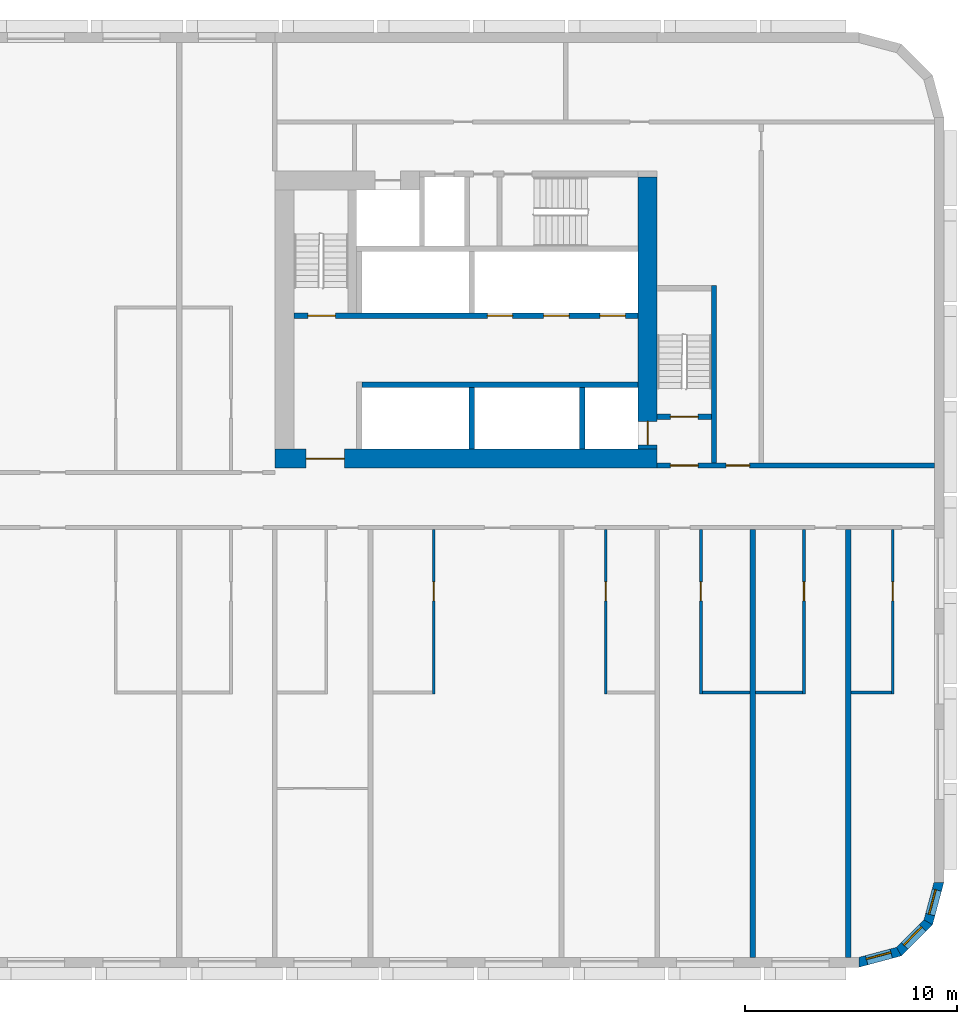
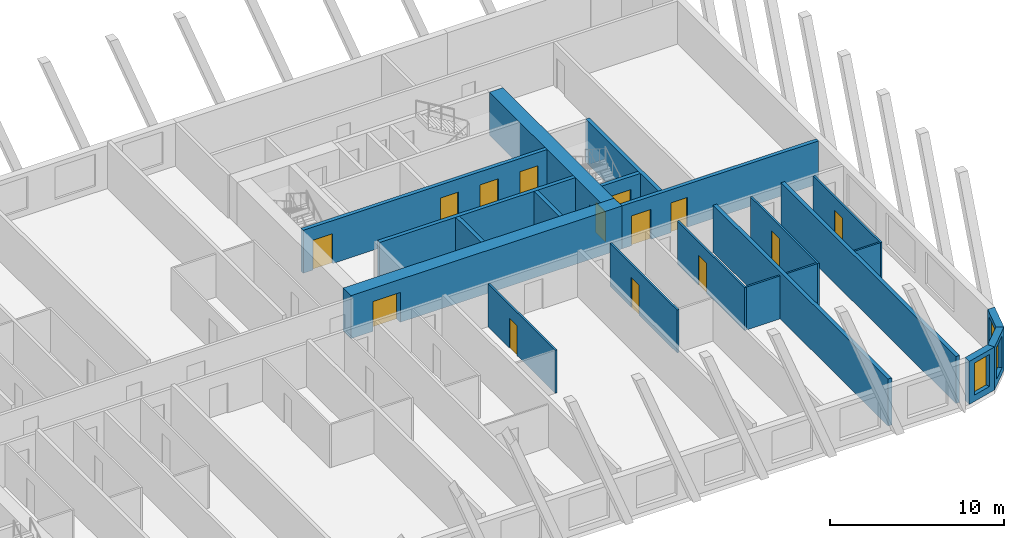
# One storey, part 7 of 13: 22 walls, 14 doors, 3 windows, 17 openings.
"""IFC4 building model written with IfcOpenShell, lengths in metres."""

from ifc_helpers import new_model, si_unit, direction, frame, frame_2d, origin, place, context, subcontext, project, spatial, polyline, rectangle, outline, extrude, material, layer, layer_set, type_object, element, fill, save


model = new_model("IFC4")

# Units and contexts
model_context = context("Model", 3, precision=1e-05, world=origin(), true_north=direction((0.0, 1.0)))
body_context = subcontext(model_context, "Body", "Model", "MODEL_VIEW")
ifc_project = project(units=[si_unit("LENGTHUNIT", "METRE"), si_unit("AREAUNIT", "SQUARE_METRE"), si_unit("VOLUMEUNIT", "CUBIC_METRE"), si_unit("PLANEANGLEUNIT", "RADIAN"), si_unit("MASSUNIT", "GRAM", prefix="KILO")], contexts=[model_context])

# Site, building, storey
site_placement = place(None, origin())
site = spatial("IfcSite", under=ifc_project, at=site_placement, CompositionType="ELEMENT")
building_placement = place(site_placement, origin())
building = spatial("IfcBuilding", under=site, at=building_placement, Name="Kajstack Hotel Tower", CompositionType="ELEMENT")
storey_placement = place(building_placement, frame((0.0, 0.0, 79.800048828125)))
storey = spatial("IfcBuildingStorey", under=building, at=storey_placement, Name="L15", CompositionType="ELEMENT", Elevation=79.800048828125)

# Wall, opening, door
ifc_material_1 = material(Name="Concrete C60/75", Category="concrete")
ifc_layer_1 = layer(ifc_material_1, 0.89990234375)
ifc_layer_set_1 = layer_set([ifc_layer_1], Name="Core wall 900")
wall_type_1 = type_object("IfcWallType", Name="Core wall 900", PredefinedType="SHEAR", material=ifc_layer_set_1)
wall_1_placement = place(storey_placement, frame((13.5, 1.949951171875, 0.0), z_axis=(0.0, 0.0, 1.0), x_axis=(1.0, 0.0, 0.0)))
wall_1 = element("IfcWall", 1, at=wall_1_placement, inside=storey, type_object=wall_type_1, Name="Core wall E RN", PredefinedType="SHEAR", context=body_context, shape_type="SweptSolid", body=[
    extrude(rectangle(XDim=18.0, YDim=0.89990234375, at=frame_2d((9.0, 0.0))), origin(), (0.0, 0.0, 1.0), 3.02001953125),
])
opening_1_placement = place(wall_1_placement, frame((1.47509765625, 0.0, 0.0)))
opening_1 = element("IfcOpeningElement", 2, at=opening_1_placement, cuts=wall_1, Name="Opening 15E06", PredefinedType="OPENING", context=body_context, shape_type="SweptSolid", body=[
    extrude(rectangle(XDim=1.800048828125, YDim=2.10009765625, at=frame_2d((0.89990234375, 1.050048828125))), frame((0.0, 0.4599609375, 0.0), z_axis=(0.0, -1.0, 0.0), x_axis=(1.0, 0.0, 0.0)), (0.0, 0.0, 1.0), 0.919921875),
])
ifc_material_2 = material(Name="Glazed steel frame, fire-rated glass", Category="steel")
door_type_1 = type_object("IfcDoorType", Name="Lobby double door 1800", OperationType="DOUBLE_DOOR_DOUBLE_SWING", PredefinedType="DOOR", material=ifc_material_2)
door_1_placement = place(opening_1_placement, origin())
door_1 = element("IfcDoor", 3, at=door_1_placement, inside=storey, type_object=door_type_1, Name="Door 15E06", OperationType="DOUBLE_DOOR_DOUBLE_SWING", OverallHeight=2.10009765625, OverallWidth=1.800048828125, PredefinedType="DOOR", context=body_context, shape_type="SweptSolid", body=[
    extrude(rectangle(XDim=1.800048828125, YDim=2.10009765625, at=frame_2d((0.89990234375, 1.050048828125))), frame((0.0, 0.02490234375, 0.0), z_axis=(0.0, -1.0, 0.0), x_axis=(1.0, 0.0, 0.0)), (0.0, 0.0, 1.0), 0.050048828125),
])
fill(opening_1, door_1)

wall_2_placement = place(storey_placement, frame((31.050048828125, 2.39990234375, 0.0), z_axis=(0.0, 0.0, 1.0), x_axis=(0.0, 1.0, 0.0)))
wall_2 = element("IfcWall", 4, at=wall_2_placement, inside=storey, type_object=wall_type_1, Name="Core wall E RW", PredefinedType="SHEAR", context=body_context, shape_type="SweptSolid", body=[
    extrude(rectangle(XDim=12.800048828125, YDim=0.89990234375, at=frame_2d((6.39990234375, 0.0))), origin(), (0.0, 0.0, 1.0), 3.02001953125),
])
opening_2_placement = place(wall_2_placement, frame((0.199951171875, 0.0, 0.0)))
opening_2 = element("IfcOpeningElement", 5, at=opening_2_placement, cuts=wall_2, Name="Opening LD-FF2", PredefinedType="OPENING", context=body_context, shape_type="SweptSolid", body=[
    extrude(rectangle(XDim=1.10009765625, YDim=2.10009765625, at=frame_2d((0.550048828125, 1.050048828125))), frame((0.0, 0.4599609375, 0.0), z_axis=(0.0, -1.0, 0.0), x_axis=(1.0, 0.0, 0.0)), (0.0, 0.0, 1.0), 0.919921875),
])
ifc_material_3 = material(Name="Stainless steel", Category="steel")
door_type_2 = type_object("IfcDoorType", Name="Fire-fighting lift landing door 1100", OperationType="SLIDING_TO_LEFT", PredefinedType="DOOR", material=ifc_material_3)
door_2_placement = place(opening_2_placement, origin())
door_2 = element("IfcDoor", 6, at=door_2_placement, inside=storey, type_object=door_type_2, Name="Landing door FF2", OperationType="SLIDING_TO_LEFT", OverallHeight=2.10009765625, OverallWidth=1.10009765625, PredefinedType="DOOR", context=body_context, shape_type="SweptSolid", body=[
    extrude(rectangle(XDim=1.10009765625, YDim=2.10009765625, at=frame_2d((0.550048828125, 1.050048828125))), frame((0.0, 0.02490234375, 0.0), z_axis=(0.0, -1.0, 0.0), x_axis=(1.0, 0.0, 0.0)), (0.0, 0.0, 1.0), 0.050048828125),
])
fill(opening_2, door_2)

# Wall, opening, window
ifc_material_4 = material(Name="Terracotta-faced brick masonry", Category="masonry")
ifc_layer_2 = layer(ifc_material_4, 0.449951171875)
ifc_layer_set_2 = layer_set([ifc_layer_2], Name="EW-TERRA")
wall_type_2 = type_object("IfcWallType", Name="EW-TERRA", PredefinedType="SOLIDWALL", material=ifc_layer_set_2)
wall_3_placement = place(storey_placement, frame((40.941650390625, -21.78271484375, 0.0), z_axis=(0.0, 0.0, 1.0), x_axis=(0.965926999034, 0.25881466832, 0.0)))
wall_3 = element("IfcWall", 7, at=wall_3_placement, inside=storey, type_object=wall_type_2, Name="E-wall-L15-04-00", PredefinedType="SOLIDWALL", context=body_context, shape_type="SweptSolid", body=[
    extrude(outline(polyline([(0.000244140625, -0.22509765625), (2.070556640625, -0.224853515625), (1.9501953125, 0.22509765625), (0.12060546875, 0.22509765625), (0.000244140625, -0.22509765625)])), origin(), (0.0, 0.0, 1.0), 3.02001953125),
])
opening_3_placement = place(wall_3_placement, frame((0.435302734375, 0.0, 0.449951171875)))
opening_3 = element("IfcOpeningElement", 8, at=opening_3_placement, cuts=wall_3, Name="Opening W3", PredefinedType="OPENING", context=body_context, shape_type="SweptSolid", body=[
    extrude(rectangle(XDim=1.199951171875, YDim=2.25, at=frame_2d((0.60009765625, 1.125))), frame((0.0, 0.23486328125, 0.0), z_axis=(0.0, -1.0, 0.0), x_axis=(1.0, 0.0, 0.0)), (0.0, 0.0, 1.0), 0.469970703125),
])
ifc_material_5 = material(Name="Timber-aluminium window, triple glazed", Category="wood")
window_type = type_object("IfcWindowType", Name="WG3", PartitioningType="SINGLE_PANEL", PredefinedType="WINDOW", material=ifc_material_5)
window_1_placement = place(opening_3_placement, origin())
window_1 = element("IfcWindow", 9, at=window_1_placement, inside=storey, type_object=window_type, Name="Window W3 L15-04", OverallHeight=2.25, OverallWidth=1.199951171875, PartitioningType="SINGLE_PANEL", PredefinedType="WINDOW", context=body_context, shape_type="SweptSolid", body=[
    extrude(rectangle(XDim=1.199951171875, YDim=2.25, at=frame_2d((0.60009765625, 1.125))), frame((0.0, 0.090087890625, 0.0), z_axis=(0.0, -1.0, 0.0), x_axis=(1.0, 0.0, 0.0)), (0.0, 0.0, 1.0), 0.06005859375),
])
fill(opening_3, window_1)

wall_4_placement = place(storey_placement, frame((42.8408203125, -21.304931640625, 0.0), z_axis=(0.0, 0.0, 1.0), x_axis=(0.707106781187, 0.707106781187, 0.0)))
wall_4 = element("IfcWall", 10, at=wall_4_placement, inside=storey, type_object=wall_type_2, Name="E-wall-L15-05-00", PredefinedType="SOLIDWALL", context=body_context, shape_type="SweptSolid", body=[
    extrude(outline(polyline([(0.0, -0.22509765625), (2.070556640625, -0.22509765625), (1.949951171875, 0.224853515625), (0.12060546875, 0.224853515625), (0.0, -0.22509765625)])), origin(), (0.0, 0.0, 1.0), 3.02001953125),
])
opening_4_placement = place(wall_4_placement, frame((0.435302734375, 0.0, 0.449951171875)))
opening_4 = element("IfcOpeningElement", 11, at=opening_4_placement, cuts=wall_4, Name="Opening W3", PredefinedType="OPENING", context=body_context, shape_type="SweptSolid", body=[
    extrude(rectangle(XDim=1.199951171875, YDim=2.25, at=frame_2d((0.60009765625, 1.125))), frame((0.0, 0.23486328125, 0.0), z_axis=(0.0, -1.0, 0.0), x_axis=(1.0, 0.0, 0.0)), (0.0, 0.0, 1.0), 0.469970703125),
])
window_2_placement = place(opening_4_placement, origin())
window_2 = element("IfcWindow", 12, at=window_2_placement, inside=storey, type_object=window_type, Name="Window W3 L15-05", OverallHeight=2.25, OverallWidth=1.199951171875, PartitioningType="SINGLE_PANEL", PredefinedType="WINDOW", context=body_context, shape_type="SweptSolid", body=[
    extrude(rectangle(XDim=1.199951171875, YDim=2.25, at=frame_2d((0.60009765625, 1.125))), frame((0.0, 0.090087890625, 0.0), z_axis=(0.0, -1.0, 0.0), x_axis=(1.0, 0.0, 0.0)), (0.0, 0.0, 1.0), 0.06005859375),
])
fill(opening_4, window_2)

wall_5_placement = place(storey_placement, frame((44.246826171875, -19.941650390625, 0.0), z_axis=(0.0, 0.0, 1.0), x_axis=(0.25881466832, 0.965926999034, 0.0)))
wall_5 = element("IfcWall", 13, at=wall_5_placement, inside=storey, type_object=wall_type_2, Name="E-wall-L15-06-00", PredefinedType="SOLIDWALL", context=body_context, shape_type="SweptSolid", body=[
    extrude(outline(polyline([(-0.000244140625, -0.224853515625), (2.0703125, -0.22509765625), (1.949951171875, 0.22509765625), (0.120361328125, 0.22509765625), (-0.000244140625, -0.224853515625)])), origin(), (0.0, 0.0, 1.0), 3.02001953125),
])
opening_5_placement = place(wall_5_placement, frame((0.435302734375, 0.0, 0.449951171875)))
opening_5 = element("IfcOpeningElement", 14, at=opening_5_placement, cuts=wall_5, Name="Opening W3", PredefinedType="OPENING", context=body_context, shape_type="SweptSolid", body=[
    extrude(rectangle(XDim=1.199951171875, YDim=2.25, at=frame_2d((0.60009765625, 1.125))), frame((0.0, 0.23486328125, 0.0), z_axis=(0.0, -1.0, 0.0), x_axis=(1.0, 0.0, 0.0)), (0.0, 0.0, 1.0), 0.469970703125),
])
window_3_placement = place(opening_5_placement, origin())
window_3 = element("IfcWindow", 15, at=window_3_placement, inside=storey, type_object=window_type, Name="Window W3 L15-06", OverallHeight=2.25, OverallWidth=1.199951171875, PartitioningType="SINGLE_PANEL", PredefinedType="WINDOW", context=body_context, shape_type="SweptSolid", body=[
    extrude(rectangle(XDim=1.199951171875, YDim=2.25, at=frame_2d((0.60009765625, 1.125))), frame((0.0, 0.090087890625, 0.0), z_axis=(0.0, -1.0, 0.0), x_axis=(1.0, 0.0, 0.0)), (0.0, 0.0, 1.0), 0.06005859375),
])
fill(opening_5, window_3)

# Wall, opening, door
ifc_material_6 = material(Name="Gypsum board and tiled backer on steel studs", Category="steel")
ifc_layer_3 = layer(ifc_material_6, 0.125)
ifc_layer_set_3 = layer_set([ifc_layer_3], Name="En-suite wall 125")
wall_type_3 = type_object("IfcWallType", Name="En-suite wall 125", PredefinedType="PARTITIONING", material=ifc_layer_set_3)
wall_6_placement = place(storey_placement, frame((20.988037109375, -9.125, 0.0), z_axis=(0.0, 0.0, 1.0), x_axis=(0.0, 1.0, 0.0)))
wall_6 = element("IfcWall", 16, at=wall_6_placement, inside=storey, type_object=wall_type_3, Name="G-wall-L15-040", PredefinedType="PARTITIONING", context=body_context, shape_type="SweptSolid", body=[
    extrude(rectangle(XDim=7.72509765625, YDim=0.125, at=frame_2d((3.862548828125, 0.0))), origin(), (0.0, 0.0, 1.0), 3.02001953125),
])
opening_6_placement = place(wall_6_placement, frame((4.375, 0.0, 0.0)))
opening_6 = element("IfcOpeningElement", 17, at=opening_6_placement, cuts=wall_6, Name="Opening 15034", PredefinedType="OPENING", context=body_context, shape_type="SweptSolid", body=[
    extrude(rectangle(XDim=0.89990234375, YDim=2.10009765625, at=frame_2d((0.449951171875, 1.050048828125))), frame((0.0, 0.072509765625, 0.0), z_axis=(0.0, -1.0, 0.0), x_axis=(1.0, 0.0, 0.0)), (0.0, 0.0, 1.0), 0.14501953125),
])
ifc_material_7 = material(Name="Painted timber door leaf", Category="wood")
door_type_3 = type_object("IfcDoorType", Name="Room door 900", OperationType="SINGLE_SWING_LEFT", PredefinedType="DOOR", material=ifc_material_7)
door_3_placement = place(opening_6_placement, origin())
door_3 = element("IfcDoor", 18, at=door_3_placement, inside=storey, type_object=door_type_3, Name="G-door-L15-34", OperationType="SINGLE_SWING_RIGHT", OverallHeight=2.10009765625, OverallWidth=0.89990234375, PredefinedType="DOOR", context=body_context, shape_type="SweptSolid", body=[
    extrude(rectangle(XDim=0.89990234375, YDim=2.10009765625, at=frame_2d((0.449951171875, 1.050048828125))), frame((0.0, 0.02490234375, 0.0), z_axis=(0.0, -1.0, 0.0), x_axis=(1.0, 0.0, 0.0)), (0.0, 0.0, 1.0), 0.050048828125),
])
fill(opening_6, door_3)

wall_7_placement = place(storey_placement, frame((29.0869140625, -9.125, 0.0), z_axis=(0.0, 0.0, 1.0), x_axis=(0.0, 1.0, 0.0)))
wall_7 = element("IfcWall", 19, at=wall_7_placement, inside=storey, type_object=wall_type_3, Name="G-wall-L15-043", PredefinedType="PARTITIONING", context=body_context, shape_type="SweptSolid", body=[
    extrude(rectangle(XDim=7.72509765625, YDim=0.125, at=frame_2d((3.862548828125, 0.0))), origin(), (0.0, 0.0, 1.0), 3.02001953125),
])
opening_7_placement = place(wall_7_placement, frame((4.375, 0.0, 0.0)))
opening_7 = element("IfcOpeningElement", 20, at=opening_7_placement, cuts=wall_7, Name="Opening 15036", PredefinedType="OPENING", context=body_context, shape_type="SweptSolid", body=[
    extrude(rectangle(XDim=0.89990234375, YDim=2.10009765625, at=frame_2d((0.449951171875, 1.050048828125))), frame((0.0, 0.072509765625, 0.0), z_axis=(0.0, -1.0, 0.0), x_axis=(1.0, 0.0, 0.0)), (0.0, 0.0, 1.0), 0.14501953125),
])
door_4_placement = place(opening_7_placement, origin())
door_4 = element("IfcDoor", 21, at=door_4_placement, inside=storey, type_object=door_type_3, Name="G-door-L15-36", OperationType="SINGLE_SWING_LEFT", OverallHeight=2.10009765625, OverallWidth=0.89990234375, PredefinedType="DOOR", context=body_context, shape_type="SweptSolid", body=[
    extrude(rectangle(XDim=0.89990234375, YDim=2.10009765625, at=frame_2d((0.449951171875, 1.050048828125))), frame((0.0, 0.02490234375, 0.0), z_axis=(0.0, -1.0, 0.0), x_axis=(1.0, 0.0, 0.0)), (0.0, 0.0, 1.0), 0.050048828125),
])
fill(opening_7, door_4)

wall_8_placement = place(storey_placement, frame((33.56201171875, -9.125, 0.0), z_axis=(0.0, 0.0, 1.0), x_axis=(0.0, 1.0, 0.0)))
wall_8 = element("IfcWall", 22, at=wall_8_placement, inside=storey, type_object=wall_type_3, Name="G-wall-L15-045", PredefinedType="PARTITIONING", context=body_context, shape_type="SweptSolid", body=[
    extrude(rectangle(XDim=7.72509765625, YDim=0.125, at=frame_2d((3.862548828125, 0.0))), origin(), (0.0, 0.0, 1.0), 3.02001953125),
])
opening_8_placement = place(wall_8_placement, frame((4.375, 0.0, 0.0)))
opening_8 = element("IfcOpeningElement", 23, at=opening_8_placement, cuts=wall_8, Name="Opening 15038", PredefinedType="OPENING", context=body_context, shape_type="SweptSolid", body=[
    extrude(rectangle(XDim=0.89990234375, YDim=2.10009765625, at=frame_2d((0.449951171875, 1.050048828125))), frame((0.0, 0.072509765625, 0.0), z_axis=(0.0, -1.0, 0.0), x_axis=(1.0, 0.0, 0.0)), (0.0, 0.0, 1.0), 0.14501953125),
])
door_5_placement = place(opening_8_placement, origin())
door_5 = element("IfcDoor", 24, at=door_5_placement, inside=storey, type_object=door_type_3, Name="G-door-L15-38", OperationType="SINGLE_SWING_LEFT", OverallHeight=2.10009765625, OverallWidth=0.89990234375, PredefinedType="DOOR", context=body_context, shape_type="SweptSolid", body=[
    extrude(rectangle(XDim=0.89990234375, YDim=2.10009765625, at=frame_2d((0.449951171875, 1.050048828125))), frame((0.0, 0.02490234375, 0.0), z_axis=(0.0, -1.0, 0.0), x_axis=(1.0, 0.0, 0.0)), (0.0, 0.0, 1.0), 0.050048828125),
])
fill(opening_8, door_5)

# Wall
wall_9_placement = place(storey_placement, frame((33.625, -9.06201171875, 0.0), z_axis=(0.0, 0.0, 1.0), x_axis=(1.0, 0.0, 0.0)))
element("IfcWall", 25, at=wall_9_placement, inside=storey, type_object=wall_type_3, Name="G-wall-L15-046", PredefinedType="PARTITIONING", context=body_context, shape_type="SweptSolid", body=[
    extrude(rectangle(XDim=2.25, YDim=0.125, at=frame_2d((1.125, 0.0))), origin(), (0.0, 0.0, 1.0), 3.02001953125),
])

# Wall, opening, door
wall_10_placement = place(storey_placement, frame((38.4130859375, -9.125, 0.0), z_axis=(0.0, 0.0, 1.0), x_axis=(0.0, 1.0, 0.0)))
wall_10 = element("IfcWall", 26, at=wall_10_placement, inside=storey, type_object=wall_type_3, Name="G-wall-L15-047", PredefinedType="PARTITIONING", context=body_context, shape_type="SweptSolid", body=[
    extrude(rectangle(XDim=7.72509765625, YDim=0.125, at=frame_2d((3.862548828125, 0.0))), origin(), (0.0, 0.0, 1.0), 3.02001953125),
])
opening_9_placement = place(wall_10_placement, frame((4.375, 0.0, 0.0)))
opening_9 = element("IfcOpeningElement", 27, at=opening_9_placement, cuts=wall_10, Name="Opening 15040", PredefinedType="OPENING", context=body_context, shape_type="SweptSolid", body=[
    extrude(rectangle(XDim=0.89990234375, YDim=2.10009765625, at=frame_2d((0.449951171875, 1.050048828125))), frame((0.0, 0.072509765625, 0.0), z_axis=(0.0, -1.0, 0.0), x_axis=(1.0, 0.0, 0.0)), (0.0, 0.0, 1.0), 0.14501953125),
])
door_6_placement = place(opening_9_placement, origin())
door_6 = element("IfcDoor", 28, at=door_6_placement, inside=storey, type_object=door_type_3, Name="G-door-L15-40", OperationType="SINGLE_SWING_LEFT", OverallHeight=2.10009765625, OverallWidth=0.89990234375, PredefinedType="DOOR", context=body_context, shape_type="SweptSolid", body=[
    extrude(rectangle(XDim=0.89990234375, YDim=2.10009765625, at=frame_2d((0.449951171875, 1.050048828125))), frame((0.0, 0.02490234375, 0.0), z_axis=(0.0, -1.0, 0.0), x_axis=(1.0, 0.0, 0.0)), (0.0, 0.0, 1.0), 0.050048828125),
])
fill(opening_9, door_6)

# Wall
wall_11_placement = place(storey_placement, frame((36.125, -9.06201171875, 0.0), z_axis=(0.0, 0.0, 1.0), x_axis=(1.0, 0.0, 0.0)))
element("IfcWall", 29, at=wall_11_placement, inside=storey, type_object=wall_type_3, Name="G-wall-L15-048", PredefinedType="PARTITIONING", context=body_context, shape_type="SweptSolid", body=[
    extrude(rectangle(XDim=2.22509765625, YDim=0.125, at=frame_2d((1.112548828125, 0.0))), origin(), (0.0, 0.0, 1.0), 3.02001953125),
])

# Wall, opening, door
wall_12_placement = place(storey_placement, frame((42.5869140625, -9.125, 0.0), z_axis=(0.0, 0.0, 1.0), x_axis=(0.0, 1.0, 0.0)))
wall_12 = element("IfcWall", 30, at=wall_12_placement, inside=storey, type_object=wall_type_3, Name="G-wall-L15-049", PredefinedType="PARTITIONING", context=body_context, shape_type="SweptSolid", body=[
    extrude(rectangle(XDim=7.72509765625, YDim=0.125, at=frame_2d((3.862548828125, 0.0))), origin(), (0.0, 0.0, 1.0), 3.02001953125),
])
opening_10_placement = place(wall_12_placement, frame((4.375, 0.0, 0.0)))
opening_10 = element("IfcOpeningElement", 31, at=opening_10_placement, cuts=wall_12, Name="Opening 15042", PredefinedType="OPENING", context=body_context, shape_type="SweptSolid", body=[
    extrude(rectangle(XDim=0.89990234375, YDim=2.10009765625, at=frame_2d((0.449951171875, 1.050048828125))), frame((0.0, 0.072509765625, 0.0), z_axis=(0.0, -1.0, 0.0), x_axis=(1.0, 0.0, 0.0)), (0.0, 0.0, 1.0), 0.14501953125),
])
door_7_placement = place(opening_10_placement, origin())
door_7 = element("IfcDoor", 32, at=door_7_placement, inside=storey, type_object=door_type_3, Name="G-door-L15-42", OperationType="SINGLE_SWING_LEFT", OverallHeight=2.10009765625, OverallWidth=0.89990234375, PredefinedType="DOOR", context=body_context, shape_type="SweptSolid", body=[
    extrude(rectangle(XDim=0.89990234375, YDim=2.10009765625, at=frame_2d((0.449951171875, 1.050048828125))), frame((0.0, 0.02490234375, 0.0), z_axis=(0.0, -1.0, 0.0), x_axis=(1.0, 0.0, 0.0)), (0.0, 0.0, 1.0), 0.050048828125),
])
fill(opening_10, door_7)

# Walls
wall_13_placement = place(storey_placement, frame((40.625, -9.06201171875, 0.0), z_axis=(0.0, 0.0, 1.0), x_axis=(1.0, 0.0, 0.0)))
element("IfcWall", 33, at=wall_13_placement, inside=storey, type_object=wall_type_3, Name="G-wall-L15-050", PredefinedType="PARTITIONING", context=body_context, shape_type="SweptSolid", body=[
    extrude(rectangle(XDim=1.89990234375, YDim=0.125, at=frame_2d((0.949951171875, 0.0))), origin(), (0.0, 0.0, 1.0), 3.02001953125),
])
ifc_material_8 = material(Name="Concrete C50/60", Category="concrete")
ifc_layer_4 = layer(ifc_material_8, 0.300048828125)
ifc_layer_set_4 = layer_set([ifc_layer_4], Name="Hoistway divider wall 300")
wall_type_4 = type_object("IfcWallType", Name="Hoistway divider wall 300", PredefinedType="SHEAR", material=ifc_layer_set_4)
wall_14_placement = place(storey_placement, frame((22.77490234375, 2.39990234375, 0.0), z_axis=(0.0, 0.0, 1.0), x_axis=(0.0, 1.0, 0.0)))
element("IfcWall", 34, at=wall_14_placement, inside=storey, type_object=wall_type_4, Name="Core wall E AP2", PredefinedType="SHEAR", context=body_context, shape_type="SweptSolid", body=[
    extrude(rectangle(XDim=2.900146484375, YDim=0.25, at=frame_2d((1.4501953125, 0.0))), origin(), (0.0, 0.0, 1.0), 3.02001953125),
])
ifc_layer_5 = layer(ifc_material_1, 0.25)
ifc_layer_set_5 = layer_set([ifc_layer_5], Name="RC cross wall 250 C60/75")
wall_type_5 = type_object("IfcWallType", Name="RC cross wall 250 C60/75", PredefinedType="SHEAR", material=ifc_layer_set_5)
for number, where, z_axis, x_axis, name in (
    (35, (36.0, -21.5400390625, 0.0), (0.0, 0.0, 1.0), (0.0, 1.0, 0.0), "S-wall-L15-13"),
    (36, (40.5, -21.5400390625, 0.0), (0.0, 0.0, 1.0), (0.0, 1.0, 0.0), "S-wall-L15-14"),
):
    element("IfcWall", number, at=place(storey_placement, frame(where, z_axis=z_axis, x_axis=x_axis)), inside=storey, type_object=wall_type_5, Name=name, PredefinedType="SHEAR", context=body_context, shape_type="SweptSolid", body=[
        extrude(rectangle(XDim=20.14013671875, YDim=0.25, at=frame_2d((10.070068359375, 0.0))), origin(), (0.0, 0.0, 1.0), 3.300048828125),
    ])

# Wall, openings, doors
ifc_material_9 = material(Name="Gypsum board on steel studs, mineral wool", Category="steel")
ifc_layer_6 = layer(ifc_material_9, 0.199951171875)
ifc_layer_set_6 = layer_set([ifc_layer_6], Name="Service partition 200")
wall_type_6 = type_object("IfcWallType", Name="Service partition 200", PredefinedType="PARTITIONING", material=ifc_layer_set_6)
wall_15_placement = place(storey_placement, frame((31.5, 1.625, 0.0), z_axis=(0.0, 0.0, 1.0), x_axis=(1.0, 0.0, 0.0)))
wall_15 = element("IfcWall", 37, at=wall_15_placement, inside=storey, type_object=wall_type_6, Name="Partition E SN", PredefinedType="PARTITIONING", context=body_context, shape_type="SweptSolid", body=[
    extrude(rectangle(XDim=13.050048828125, YDim=0.25, at=frame_2d((6.52490234375, 0.0))), origin(), (0.0, 0.0, 1.0), 3.02001953125),
])
opening_11_placement = place(wall_15_placement, frame((0.625, 0.0, 0.0)))
opening_11 = element("IfcOpeningElement", 38, at=opening_11_placement, cuts=wall_15, Name="Opening 15E07", PredefinedType="OPENING", context=body_context, shape_type="SweptSolid", body=[
    extrude(rectangle(XDim=1.300048828125, YDim=2.10009765625, at=frame_2d((0.64990234375, 1.050048828125))), frame((0.0, 0.135009765625, 0.0), z_axis=(0.0, -1.0, 0.0), x_axis=(1.0, 0.0, 0.0)), (0.0, 0.0, 1.0), 0.27001953125),
])
opening_12_placement = place(wall_15_placement, frame((3.25, 0.0, 0.0)))
opening_12 = element("IfcOpeningElement", 39, at=opening_12_placement, cuts=wall_15, Name="Opening 15E09", PredefinedType="OPENING", context=body_context, shape_type="SweptSolid", body=[
    extrude(rectangle(XDim=1.10009765625, YDim=2.10009765625, at=frame_2d((0.550048828125, 1.050048828125))), frame((0.0, 0.135009765625, 0.0), z_axis=(0.0, -1.0, 0.0), x_axis=(1.0, 0.0, 0.0)), (0.0, 0.0, 1.0), 0.27001953125),
])
ifc_material_10 = material(Name="Steel leaf, fire-rated", Category="steel")
door_type_4 = type_object("IfcDoorType", Name="Fire lobby door 1300", OperationType="SINGLE_SWING_LEFT", PredefinedType="DOOR", material=ifc_material_10)
door_8_placement = place(opening_11_placement, origin())
door_8 = element("IfcDoor", 40, at=door_8_placement, inside=storey, type_object=door_type_4, Name="Door 15E07", OperationType="SINGLE_SWING_LEFT", OverallHeight=2.10009765625, OverallWidth=1.300048828125, PredefinedType="DOOR", context=body_context, shape_type="SweptSolid", body=[
    extrude(rectangle(XDim=1.300048828125, YDim=2.10009765625, at=frame_2d((0.64990234375, 1.050048828125))), frame((0.0, 0.02490234375, 0.0), z_axis=(0.0, -1.0, 0.0), x_axis=(1.0, 0.0, 0.0)), (0.0, 0.0, 1.0), 0.050048828125),
])
fill(opening_11, door_8)
ifc_material_11 = material(Name="Timber leaf, fire-rated", Category="wood")
door_type_5 = type_object("IfcDoorType", Name="Service corridor door 1100", OperationType="SINGLE_SWING_LEFT", PredefinedType="DOOR", material=ifc_material_11)
door_9_placement = place(opening_12_placement, origin())
door_9 = element("IfcDoor", 41, at=door_9_placement, inside=storey, type_object=door_type_5, Name="Door 15E09", OperationType="SINGLE_SWING_LEFT", OverallHeight=2.10009765625, OverallWidth=1.10009765625, PredefinedType="DOOR", context=body_context, shape_type="SweptSolid", body=[
    extrude(rectangle(XDim=1.10009765625, YDim=2.10009765625, at=frame_2d((0.550048828125, 1.050048828125))), frame((0.0, 0.02490234375, 0.0), z_axis=(0.0, -1.0, 0.0), x_axis=(1.0, 0.0, 0.0)), (0.0, 0.0, 1.0), 0.050048828125),
])
fill(opening_12, door_9)

# Walls
ifc_layer_7 = layer(ifc_material_8, 0.25)
ifc_layer_set_7 = layer_set([ifc_layer_7], Name="Shaft wall 250")
wall_type_7 = type_object("IfcWallType", Name="Shaft wall 250", PredefinedType="SHEAR", material=ifc_layer_set_7)
wall_16_placement = place(storey_placement, frame((17.60009765625, 5.425048828125, 0.0), z_axis=(0.0, 0.0, 1.0), x_axis=(1.0, 0.0, 0.0)))
element("IfcWall", 42, at=wall_16_placement, inside=storey, type_object=wall_type_7, Name="Core wall E FA", PredefinedType="SHEAR", context=body_context, shape_type="SweptSolid", body=[
    extrude(rectangle(XDim=13.0, YDim=0.25, at=frame_2d((6.5, 0.0))), origin(), (0.0, 0.0, 1.0), 3.02001953125),
])
wall_17_placement = place(storey_placement, frame((27.97509765625, 2.39990234375, 0.0), z_axis=(0.0, 0.0, 1.0), x_axis=(0.0, 1.0, 0.0)))
element("IfcWall", 43, at=wall_17_placement, inside=storey, type_object=wall_type_7, Name="Core wall E AP0", PredefinedType="SHEAR", context=body_context, shape_type="SweptSolid", body=[
    extrude(rectangle(XDim=2.900146484375, YDim=0.25, at=frame_2d((1.4501953125, 0.0))), origin(), (0.0, 0.0, 1.0), 3.02001953125),
])

# Wall, openings, doors
wall_18_placement = place(storey_placement, frame((14.39990234375, 8.675048828125, 0.0), z_axis=(0.0, 0.0, 1.0), x_axis=(1.0, 0.0, 0.0)))
wall_18 = element("IfcWall", 44, at=wall_18_placement, inside=storey, type_object=wall_type_7, Name="Core wall E FB", PredefinedType="SHEAR", context=body_context, shape_type="SweptSolid", body=[
    extrude(rectangle(XDim=16.2001953125, YDim=0.25, at=frame_2d((8.10009765625, 0.0))), origin(), (0.0, 0.0, 1.0), 3.02001953125),
])
opening_13_placement = place(wall_18_placement, frame((14.39990234375, 0.0, 0.0)))
opening_13 = element("IfcOpeningElement", 45, at=opening_13_placement, cuts=wall_18, Name="Opening LD-LR4", PredefinedType="OPENING", context=body_context, shape_type="SweptSolid", body=[
    extrude(rectangle(XDim=1.199951171875, YDim=2.10009765625, at=frame_2d((0.60009765625, 1.050048828125))), frame((0.0, 0.135009765625, 0.0), z_axis=(0.0, -1.0, 0.0), x_axis=(1.0, 0.0, 0.0)), (0.0, 0.0, 1.0), 0.27001953125),
])
opening_14_placement = place(wall_18_placement, frame((11.75, 0.0, 0.0)))
opening_14 = element("IfcOpeningElement", 46, at=opening_14_placement, cuts=wall_18, Name="Opening LD-LR5", PredefinedType="OPENING", context=body_context, shape_type="SweptSolid", body=[
    extrude(rectangle(XDim=1.199951171875, YDim=2.10009765625, at=frame_2d((0.60009765625, 1.050048828125))), frame((0.0, 0.135009765625, 0.0), z_axis=(0.0, -1.0, 0.0), x_axis=(1.0, 0.0, 0.0)), (0.0, 0.0, 1.0), 0.27001953125),
])
opening_15_placement = place(wall_18_placement, frame((9.10009765625, 0.0, 0.0)))
opening_15 = element("IfcOpeningElement", 47, at=opening_15_placement, cuts=wall_18, Name="Opening LD-LR6", PredefinedType="OPENING", context=body_context, shape_type="SweptSolid", body=[
    extrude(rectangle(XDim=1.199951171875, YDim=2.10009765625, at=frame_2d((0.60009765625, 1.050048828125))), frame((0.0, 0.135009765625, 0.0), z_axis=(0.0, -1.0, 0.0), x_axis=(1.0, 0.0, 0.0)), (0.0, 0.0, 1.0), 0.27001953125),
])
opening_16_placement = place(wall_18_placement, frame((0.64990234375, 0.0, 0.0)))
opening_16 = element("IfcOpeningElement", 48, at=opening_16_placement, cuts=wall_18, Name="Opening 15E10", PredefinedType="OPENING", context=body_context, shape_type="SweptSolid", body=[
    extrude(rectangle(XDim=1.300048828125, YDim=2.10009765625, at=frame_2d((0.64990234375, 1.050048828125))), frame((0.0, 0.135009765625, 0.0), z_axis=(0.0, -1.0, 0.0), x_axis=(1.0, 0.0, 0.0)), (0.0, 0.0, 1.0), 0.27001953125),
])
door_type_6 = type_object("IfcDoorType", Name="Lift landing door 1200", OperationType="SLIDING_TO_LEFT", PredefinedType="DOOR", material=ifc_material_3)
door_10_placement = place(opening_13_placement, origin())
door_10 = element("IfcDoor", 49, at=door_10_placement, inside=storey, type_object=door_type_6, Name="Landing door LR4", OperationType="SLIDING_TO_LEFT", OverallHeight=2.10009765625, OverallWidth=1.199951171875, PredefinedType="DOOR", context=body_context, shape_type="SweptSolid", body=[
    extrude(rectangle(XDim=1.199951171875, YDim=2.10009765625, at=frame_2d((0.60009765625, 1.050048828125))), frame((0.0, 0.02490234375, 0.0), z_axis=(0.0, -1.0, 0.0), x_axis=(1.0, 0.0, 0.0)), (0.0, 0.0, 1.0), 0.050048828125),
])
fill(opening_13, door_10)
door_11_placement = place(opening_14_placement, origin())
door_11 = element("IfcDoor", 50, at=door_11_placement, inside=storey, type_object=door_type_6, Name="Landing door LR5", OperationType="SLIDING_TO_RIGHT", OverallHeight=2.10009765625, OverallWidth=1.199951171875, PredefinedType="DOOR", context=body_context, shape_type="SweptSolid", body=[
    extrude(rectangle(XDim=1.199951171875, YDim=2.10009765625, at=frame_2d((0.60009765625, 1.050048828125))), frame((0.0, 0.02490234375, 0.0), z_axis=(0.0, -1.0, 0.0), x_axis=(1.0, 0.0, 0.0)), (0.0, 0.0, 1.0), 0.050048828125),
])
fill(opening_14, door_11)
door_12_placement = place(opening_15_placement, origin())
door_12 = element("IfcDoor", 51, at=door_12_placement, inside=storey, type_object=door_type_6, Name="Landing door LR6", OperationType="SLIDING_TO_RIGHT", OverallHeight=2.10009765625, OverallWidth=1.199951171875, PredefinedType="DOOR", context=body_context, shape_type="SweptSolid", body=[
    extrude(rectangle(XDim=1.199951171875, YDim=2.10009765625, at=frame_2d((0.60009765625, 1.050048828125))), frame((0.0, 0.02490234375, 0.0), z_axis=(0.0, -1.0, 0.0), x_axis=(1.0, 0.0, 0.0)), (0.0, 0.0, 1.0), 0.050048828125),
])
fill(opening_15, door_12)
door_type_7 = type_object("IfcDoorType", Name="Stair door 1300", OperationType="SINGLE_SWING_LEFT", PredefinedType="DOOR", material=ifc_material_10)
door_13_placement = place(opening_16_placement, origin())
door_13 = element("IfcDoor", 52, at=door_13_placement, inside=storey, type_object=door_type_7, Name="Door 15E10", OperationType="SINGLE_SWING_LEFT", OverallHeight=2.10009765625, OverallWidth=1.300048828125, PredefinedType="DOOR", context=body_context, shape_type="SweptSolid", body=[
    extrude(rectangle(XDim=1.300048828125, YDim=2.10009765625, at=frame_2d((0.64990234375, 1.050048828125))), frame((0.0, 0.02490234375, 0.0), z_axis=(0.0, -1.0, 0.0), x_axis=(1.0, 0.0, 0.0)), (0.0, 0.0, 1.0), 0.050048828125),
])
fill(opening_16, door_13)

# Wall, opening, door
ifc_material_12 = material(Name="Concrete C40/50", Category="concrete")
ifc_layer_8 = layer(ifc_material_12, 0.25)
ifc_layer_set_8 = layer_set([ifc_layer_8], Name="Stair enclosure wall 250")
wall_type_8 = type_object("IfcWallType", Name="Stair enclosure wall 250", PredefinedType="SHEAR", material=ifc_layer_set_8)
wall_19_placement = place(storey_placement, frame((31.5, 3.925048828125, 0.0), z_axis=(0.0, 0.0, 1.0), x_axis=(1.0, 0.0, 0.0)))
wall_19 = element("IfcWall", 53, at=wall_19_placement, inside=storey, type_object=wall_type_8, Name="Core wall E W1N", PredefinedType="SHEAR", context=body_context, shape_type="SweptSolid", body=[
    extrude(rectangle(XDim=2.550048828125, YDim=0.25, at=frame_2d((1.27490234375, 0.0))), origin(), (0.0, 0.0, 1.0), 3.02001953125),
])
opening_17_placement = place(wall_19_placement, frame((0.625, 0.0, 0.0)))
opening_17 = element("IfcOpeningElement", 54, at=opening_17_placement, cuts=wall_19, Name="Opening 15E08", PredefinedType="OPENING", context=body_context, shape_type="SweptSolid", body=[
    extrude(rectangle(XDim=1.300048828125, YDim=2.10009765625, at=frame_2d((0.64990234375, 1.050048828125))), frame((0.0, 0.135009765625, 0.0), z_axis=(0.0, -1.0, 0.0), x_axis=(1.0, 0.0, 0.0)), (0.0, 0.0, 1.0), 0.27001953125),
])
door_14_placement = place(opening_17_placement, origin())
door_14 = element("IfcDoor", 55, at=door_14_placement, inside=storey, type_object=door_type_7, Name="Door 15E08", OperationType="SINGLE_SWING_LEFT", OverallHeight=2.10009765625, OverallWidth=1.300048828125, PredefinedType="DOOR", context=body_context, shape_type="SweptSolid", body=[
    extrude(rectangle(XDim=1.300048828125, YDim=2.10009765625, at=frame_2d((0.64990234375, 1.050048828125))), frame((0.0, 0.02490234375, 0.0), z_axis=(0.0, -1.0, 0.0), x_axis=(1.0, 0.0, 0.0)), (0.0, 0.0, 1.0), 0.050048828125),
])
fill(opening_17, door_14)

# Wall
wall_20_placement = place(storey_placement, frame((34.175048828125, 1.75, 0.0), z_axis=(0.0, 0.0, 1.0), x_axis=(0.0, 1.0, 0.0)))
element("IfcWall", 56, at=wall_20_placement, inside=storey, type_object=wall_type_8, Name="Core wall E W1W", PredefinedType="SHEAR", context=body_context, shape_type="SweptSolid", body=[
    extrude(rectangle(XDim=8.35009765625, YDim=0.25, at=frame_2d((4.175048828125, 0.0))), origin(), (0.0, 0.0, 1.0), 3.02001953125),
])

save(model, "model.ifc")
